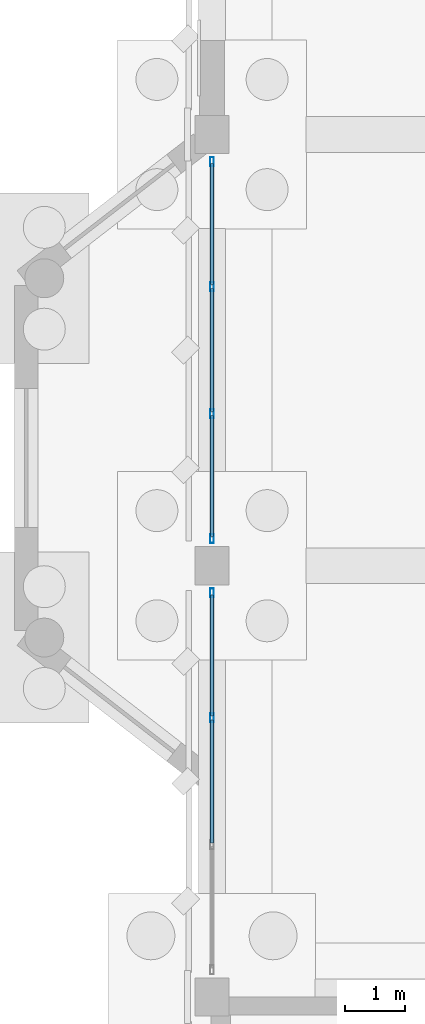
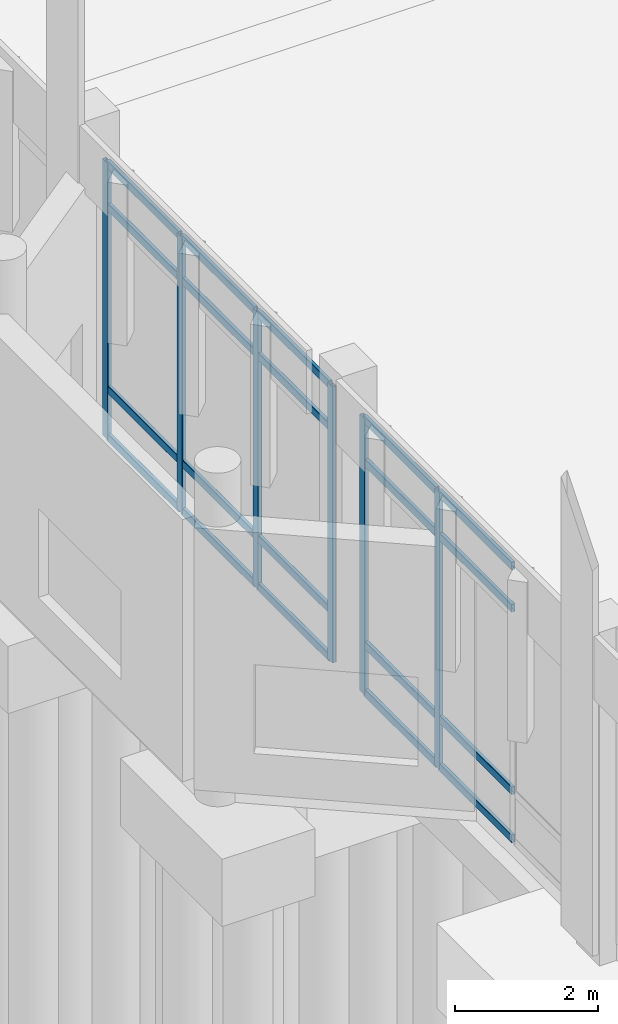
# One storey, part 38 of 109: 26 members, 2 elements without a shape of their own.
"""IFC4 building model written with IfcOpenShell, lengths in metres."""

from ifc_helpers import new_model, si_unit, direction, frame, origin, origin_2d, place, context, subcontext, project, spatial, hollow_rectangle, extrude, material, material_profile, profile_set, type_object, element, aggregate, save


model = new_model("IFC4")

# Units and contexts
model_context = context("Model", 3, precision=1e-05, world=origin(), true_north=direction((0.0, 1.0)))
body_context = subcontext(model_context, "Body", "Model", "MODEL_VIEW")
ifc_project = project(units=[si_unit("LENGTHUNIT", "METRE"), si_unit("AREAUNIT", "SQUARE_METRE"), si_unit("VOLUMEUNIT", "CUBIC_METRE"), si_unit("PLANEANGLEUNIT", "RADIAN"), si_unit("MASSUNIT", "GRAM", prefix="KILO")], contexts=[model_context])

# Site, building, storey
site_placement = place(None, origin())
site = spatial("IfcSite", under=ifc_project, at=site_placement, CompositionType="ELEMENT")
building_placement = place(site_placement, origin())
building = spatial("IfcBuilding", under=site, at=building_placement, Name="Lusvemor Sports Hall", CompositionType="ELEMENT")
storey_placement = place(building_placement, origin())
storey = spatial("IfcBuildingStorey", under=building, at=storey_placement, Name="L00", CompositionType="ELEMENT", Elevation=0.0)

# Curtain wall, members
ifc_material_1 = material(Name="Thermally broken bronze-anodized aluminium", Category="aluminium")
curtain_wall_type = type_object("IfcCurtainWallType", Name="CW_WING_B", PredefinedType="NOTDEFINED", material=ifc_material_1)
curtain_wall_1_placement = place(storey_placement, origin())
curtain_wall_1 = element("IfcCurtainWall", 1, at=curtain_wall_1_placement, inside=storey, type_object=curtain_wall_type, Name="Curtain Wall CW-L00-W-0-4", PredefinedType="NOTDEFINED")
ifc_material_2 = material(Name="Thermally broken bronze-anodized aluminium", Category="aluminium")
ifc_material_profile_1 = material_profile(ifc_material_2, hollow_rectangle(XDim=0.06494140625, YDim=0.14990234375, WallThickness=0.00390625, InnerFilletRadius=0.00390625, OuterFilletRadius=0.008056640625, at=origin_2d()), Name="CWMUL150x65x4")
ifc_profile_set_1 = profile_set([ifc_material_profile_1], Name="Thermally broken bronze-anodized aluminium")
member_type_1 = type_object("IfcMemberType", Name="CW_MUL_B", PredefinedType="MULLION", material=ifc_profile_set_1)
member_1_placement = place(storey_placement, frame((0.0, 80.260009765625, 0.0), z_axis=(0.0, 0.0, 1.0), x_axis=(-1.0, 0.0, 0.0)))
member_1 = element("IfcMember", 2, at=member_1_placement, type_object=member_type_1, Name="CW02 mullion 3", PredefinedType="MULLION", context=body_context, shape_type="SweptSolid", body=[
    extrude(hollow_rectangle(XDim=0.06494140625, YDim=0.14990234375, WallThickness=0.00390625, InnerFilletRadius=0.00390625, OuterFilletRadius=0.008056640625, at=origin_2d()), origin(), (0.0, 0.0, 1.0), 4.719970703125),
])
member_2_placement = place(storey_placement, frame((0.0, 82.347412109375, 0.0), z_axis=(0.0, 0.0, 1.0), x_axis=(-1.0, 0.0, 0.0)))
member_2 = element("IfcMember", 3, at=member_2_placement, type_object=member_type_1, Name="CW02 mullion 4", PredefinedType="MULLION", context=body_context, shape_type="SweptSolid", body=[
    extrude(hollow_rectangle(XDim=0.06494140625, YDim=0.14990234375, WallThickness=0.00390625, InnerFilletRadius=0.00390625, OuterFilletRadius=0.008056640625, at=origin_2d()), origin(), (0.0, 0.0, 1.0), 4.719970703125),
])

curtain_wall_2_placement = place(storey_placement, origin())
curtain_wall_2 = element("IfcCurtainWall", 4, at=curtain_wall_2_placement, inside=storey, type_object=curtain_wall_type, Name="Curtain Wall CW-L00-W-0-5", PredefinedType="NOTDEFINED")
member_3_placement = place(storey_placement, frame((0.0, 83.25244140625, 0.0), z_axis=(0.0, 0.0, 1.0), x_axis=(-1.0, 0.0, 0.0)))
member_3 = element("IfcMember", 5, at=member_3_placement, type_object=member_type_1, Name="CW02 mullion 1", PredefinedType="MULLION", context=body_context, shape_type="SweptSolid", body=[
    extrude(hollow_rectangle(XDim=0.06494140625, YDim=0.14990234375, WallThickness=0.00390625, InnerFilletRadius=0.00390625, OuterFilletRadius=0.008056640625, at=origin_2d()), origin(), (0.0, 0.0, 1.0), 4.719970703125),
])
member_4_placement = place(storey_placement, frame((0.0, 85.340087890625, 0.0), z_axis=(0.0, 0.0, 1.0), x_axis=(-1.0, 0.0, 0.0)))
member_4 = element("IfcMember", 6, at=member_4_placement, type_object=member_type_1, Name="CW02 mullion 2", PredefinedType="MULLION", context=body_context, shape_type="SweptSolid", body=[
    extrude(hollow_rectangle(XDim=0.06494140625, YDim=0.14990234375, WallThickness=0.00390625, InnerFilletRadius=0.00390625, OuterFilletRadius=0.008056640625, at=origin_2d()), origin(), (0.0, 0.0, 1.0), 4.719970703125),
])
member_5_placement = place(storey_placement, frame((0.0, 87.4599609375, 0.0), z_axis=(0.0, 0.0, 1.0), x_axis=(-1.0, 0.0, 0.0)))
member_5 = element("IfcMember", 7, at=member_5_placement, type_object=member_type_1, Name="CW02 mullion 3", PredefinedType="MULLION", context=body_context, shape_type="SweptSolid", body=[
    extrude(hollow_rectangle(XDim=0.06494140625, YDim=0.14990234375, WallThickness=0.00390625, InnerFilletRadius=0.00390625, OuterFilletRadius=0.008056640625, at=origin_2d()), origin(), (0.0, 0.0, 1.0), 4.719970703125),
])
member_6_placement = place(storey_placement, frame((0.0, 89.547607421875, 0.0), z_axis=(0.0, 0.0, 1.0), x_axis=(-1.0, 0.0, 0.0)))
member_6 = element("IfcMember", 8, at=member_6_placement, type_object=member_type_1, Name="CW02 mullion 4", PredefinedType="MULLION", context=body_context, shape_type="SweptSolid", body=[
    extrude(hollow_rectangle(XDim=0.06494140625, YDim=0.14990234375, WallThickness=0.00390625, InnerFilletRadius=0.00390625, OuterFilletRadius=0.008056640625, at=origin_2d()), origin(), (0.0, 0.0, 1.0), 4.719970703125),
])

# Member
ifc_material_3 = material(Name="Thermally broken bronze-anodized aluminium", Category="aluminium")
ifc_material_profile_2 = material_profile(ifc_material_3, hollow_rectangle(XDim=0.06005859375, YDim=0.135009765625, WallThickness=0.00390625, InnerFilletRadius=0.00390625, OuterFilletRadius=0.008056640625, at=origin_2d()), Name="CWTRN135x60x4")
ifc_profile_set_2 = profile_set([ifc_material_profile_2], Name="Thermally broken bronze-anodized aluminium")
member_type_2 = type_object("IfcMemberType", Name="CW_TRN_B", PredefinedType="USERDEFINED", material=ifc_profile_set_2)
member_7_placement = place(storey_placement, frame((0.0, 78.172607421875, 0.030029296875), z_axis=(0.0, 1.0, 0.0), x_axis=(-1.0, 0.0, 0.0)))
member_7 = element("IfcMember", 9, at=member_7_placement, type_object=member_type_2, Name="CW02 transom 2.1", ObjectType="TRANSOM", PredefinedType="USERDEFINED", context=body_context, shape_type="SweptSolid", body=[
    extrude(hollow_rectangle(XDim=0.06005859375, YDim=0.135009765625, WallThickness=0.00390625, InnerFilletRadius=0.00390625, OuterFilletRadius=0.008056640625, at=origin_2d()), origin(), (0.0, 0.0, 1.0), 2.054931640625),
])

member_8_placement = place(storey_placement, frame((0.0, 78.172607421875, 0.85009765625), z_axis=(0.0, 1.0, 0.0), x_axis=(-1.0, 0.0, 0.0)))
member_8 = element("IfcMember", 10, at=member_8_placement, type_object=member_type_2, Name="CW02 transom 2.2", ObjectType="TRANSOM", PredefinedType="USERDEFINED", context=body_context, shape_type="SweptSolid", body=[
    extrude(hollow_rectangle(XDim=0.06005859375, YDim=0.135009765625, WallThickness=0.00390625, InnerFilletRadius=0.00390625, OuterFilletRadius=0.008056640625, at=origin_2d()), origin(), (0.0, 0.0, 1.0), 2.054931640625),
])

member_9_placement = place(storey_placement, frame((0.0, 78.172607421875, 3.969970703125), z_axis=(0.0, 1.0, 0.0), x_axis=(-1.0, 0.0, 0.0)))
member_9 = element("IfcMember", 11, at=member_9_placement, type_object=member_type_2, Name="CW02 transom 2.3", ObjectType="TRANSOM", PredefinedType="USERDEFINED", context=body_context, shape_type="SweptSolid", body=[
    extrude(hollow_rectangle(XDim=0.06005859375, YDim=0.135009765625, WallThickness=0.00390625, InnerFilletRadius=0.00390625, OuterFilletRadius=0.008056640625, at=origin_2d()), origin(), (0.0, 0.0, 1.0), 2.054931640625),
])

member_10_placement = place(storey_placement, frame((0.0, 78.172607421875, 4.68994140625), z_axis=(0.0, 1.0, 0.0), x_axis=(-1.0, 0.0, 0.0)))
member_10 = element("IfcMember", 12, at=member_10_placement, type_object=member_type_2, Name="CW02 transom 2.4", ObjectType="TRANSOM", PredefinedType="USERDEFINED", context=body_context, shape_type="SweptSolid", body=[
    extrude(hollow_rectangle(XDim=0.06005859375, YDim=0.135009765625, WallThickness=0.00390625, InnerFilletRadius=0.00390625, OuterFilletRadius=0.008056640625, at=origin_2d()), origin(), (0.0, 0.0, 1.0), 2.054931640625),
])

member_11_placement = place(storey_placement, frame((0.0, 80.29248046875, 0.030029296875), z_axis=(0.0, 1.0, 0.0), x_axis=(-1.0, 0.0, 0.0)))
member_11 = element("IfcMember", 13, at=member_11_placement, type_object=member_type_2, Name="CW02 transom 3.1", ObjectType="TRANSOM", PredefinedType="USERDEFINED", context=body_context, shape_type="SweptSolid", body=[
    extrude(hollow_rectangle(XDim=0.06005859375, YDim=0.135009765625, WallThickness=0.00390625, InnerFilletRadius=0.00390625, OuterFilletRadius=0.008056640625, at=origin_2d()), origin(), (0.0, 0.0, 1.0), 2.0224609375),
])

member_12_placement = place(storey_placement, frame((0.0, 80.29248046875, 0.85009765625), z_axis=(0.0, 1.0, 0.0), x_axis=(-1.0, 0.0, 0.0)))
member_12 = element("IfcMember", 14, at=member_12_placement, type_object=member_type_2, Name="CW02 transom 3.2", ObjectType="TRANSOM", PredefinedType="USERDEFINED", context=body_context, shape_type="SweptSolid", body=[
    extrude(hollow_rectangle(XDim=0.06005859375, YDim=0.135009765625, WallThickness=0.00390625, InnerFilletRadius=0.00390625, OuterFilletRadius=0.008056640625, at=origin_2d()), origin(), (0.0, 0.0, 1.0), 2.0224609375),
])

member_13_placement = place(storey_placement, frame((0.0, 80.29248046875, 3.969970703125), z_axis=(0.0, 1.0, 0.0), x_axis=(-1.0, 0.0, 0.0)))
member_13 = element("IfcMember", 15, at=member_13_placement, type_object=member_type_2, Name="CW02 transom 3.3", ObjectType="TRANSOM", PredefinedType="USERDEFINED", context=body_context, shape_type="SweptSolid", body=[
    extrude(hollow_rectangle(XDim=0.06005859375, YDim=0.135009765625, WallThickness=0.00390625, InnerFilletRadius=0.00390625, OuterFilletRadius=0.008056640625, at=origin_2d()), origin(), (0.0, 0.0, 1.0), 2.0224609375),
])

member_14_placement = place(storey_placement, frame((0.0, 80.29248046875, 4.68994140625), z_axis=(0.0, 1.0, 0.0), x_axis=(-1.0, 0.0, 0.0)))
member_14 = element("IfcMember", 16, at=member_14_placement, type_object=member_type_2, Name="CW02 transom 3.4", ObjectType="TRANSOM", PredefinedType="USERDEFINED", context=body_context, shape_type="SweptSolid", body=[
    extrude(hollow_rectangle(XDim=0.06005859375, YDim=0.135009765625, WallThickness=0.00390625, InnerFilletRadius=0.00390625, OuterFilletRadius=0.008056640625, at=origin_2d()), origin(), (0.0, 0.0, 1.0), 2.0224609375),
])

aggregate(curtain_wall_1, [member_1, member_2, member_7, member_8, member_9, member_10, member_11, member_12, member_13, member_14])

member_15_placement = place(storey_placement, frame((0.0, 83.284912109375, 0.030029296875), z_axis=(0.0, 1.0, 0.0), x_axis=(-1.0, 0.0, 0.0)))
member_15 = element("IfcMember", 17, at=member_15_placement, type_object=member_type_2, Name="CW02 transom 1.1", ObjectType="TRANSOM", PredefinedType="USERDEFINED", context=body_context, shape_type="SweptSolid", body=[
    extrude(hollow_rectangle(XDim=0.06005859375, YDim=0.135009765625, WallThickness=0.00390625, InnerFilletRadius=0.00390625, OuterFilletRadius=0.008056640625, at=origin_2d()), origin(), (0.0, 0.0, 1.0), 2.022705078125),
])

member_16_placement = place(storey_placement, frame((0.0, 83.284912109375, 0.85009765625), z_axis=(0.0, 1.0, 0.0), x_axis=(-1.0, 0.0, 0.0)))
member_16 = element("IfcMember", 18, at=member_16_placement, type_object=member_type_2, Name="CW02 transom 1.2", ObjectType="TRANSOM", PredefinedType="USERDEFINED", context=body_context, shape_type="SweptSolid", body=[
    extrude(hollow_rectangle(XDim=0.06005859375, YDim=0.135009765625, WallThickness=0.00390625, InnerFilletRadius=0.00390625, OuterFilletRadius=0.008056640625, at=origin_2d()), origin(), (0.0, 0.0, 1.0), 2.022705078125),
])

member_17_placement = place(storey_placement, frame((0.0, 83.284912109375, 3.969970703125), z_axis=(0.0, 1.0, 0.0), x_axis=(-1.0, 0.0, 0.0)))
member_17 = element("IfcMember", 19, at=member_17_placement, type_object=member_type_2, Name="CW02 transom 1.3", ObjectType="TRANSOM", PredefinedType="USERDEFINED", context=body_context, shape_type="SweptSolid", body=[
    extrude(hollow_rectangle(XDim=0.06005859375, YDim=0.135009765625, WallThickness=0.00390625, InnerFilletRadius=0.00390625, OuterFilletRadius=0.008056640625, at=origin_2d()), origin(), (0.0, 0.0, 1.0), 2.022705078125),
])

member_18_placement = place(storey_placement, frame((0.0, 83.284912109375, 4.68994140625), z_axis=(0.0, 1.0, 0.0), x_axis=(-1.0, 0.0, 0.0)))
member_18 = element("IfcMember", 20, at=member_18_placement, type_object=member_type_2, Name="CW02 transom 1.4", ObjectType="TRANSOM", PredefinedType="USERDEFINED", context=body_context, shape_type="SweptSolid", body=[
    extrude(hollow_rectangle(XDim=0.06005859375, YDim=0.135009765625, WallThickness=0.00390625, InnerFilletRadius=0.00390625, OuterFilletRadius=0.008056640625, at=origin_2d()), origin(), (0.0, 0.0, 1.0), 2.022705078125),
])

member_19_placement = place(storey_placement, frame((0.0, 85.37255859375, 0.030029296875), z_axis=(0.0, 1.0, 0.0), x_axis=(-1.0, 0.0, 0.0)))
member_19 = element("IfcMember", 21, at=member_19_placement, type_object=member_type_2, Name="CW02 transom 2.1", ObjectType="TRANSOM", PredefinedType="USERDEFINED", context=body_context, shape_type="SweptSolid", body=[
    extrude(hollow_rectangle(XDim=0.06005859375, YDim=0.135009765625, WallThickness=0.00390625, InnerFilletRadius=0.00390625, OuterFilletRadius=0.008056640625, at=origin_2d()), origin(), (0.0, 0.0, 1.0), 2.054931640625),
])

member_20_placement = place(storey_placement, frame((0.0, 85.37255859375, 0.85009765625), z_axis=(0.0, 1.0, 0.0), x_axis=(-1.0, 0.0, 0.0)))
member_20 = element("IfcMember", 22, at=member_20_placement, type_object=member_type_2, Name="CW02 transom 2.2", ObjectType="TRANSOM", PredefinedType="USERDEFINED", context=body_context, shape_type="SweptSolid", body=[
    extrude(hollow_rectangle(XDim=0.06005859375, YDim=0.135009765625, WallThickness=0.00390625, InnerFilletRadius=0.00390625, OuterFilletRadius=0.008056640625, at=origin_2d()), origin(), (0.0, 0.0, 1.0), 2.054931640625),
])

member_21_placement = place(storey_placement, frame((0.0, 85.37255859375, 3.969970703125), z_axis=(0.0, 1.0, 0.0), x_axis=(-1.0, 0.0, 0.0)))
member_21 = element("IfcMember", 23, at=member_21_placement, type_object=member_type_2, Name="CW02 transom 2.3", ObjectType="TRANSOM", PredefinedType="USERDEFINED", context=body_context, shape_type="SweptSolid", body=[
    extrude(hollow_rectangle(XDim=0.06005859375, YDim=0.135009765625, WallThickness=0.00390625, InnerFilletRadius=0.00390625, OuterFilletRadius=0.008056640625, at=origin_2d()), origin(), (0.0, 0.0, 1.0), 2.054931640625),
])

member_22_placement = place(storey_placement, frame((0.0, 85.37255859375, 4.68994140625), z_axis=(0.0, 1.0, 0.0), x_axis=(-1.0, 0.0, 0.0)))
member_22 = element("IfcMember", 24, at=member_22_placement, type_object=member_type_2, Name="CW02 transom 2.4", ObjectType="TRANSOM", PredefinedType="USERDEFINED", context=body_context, shape_type="SweptSolid", body=[
    extrude(hollow_rectangle(XDim=0.06005859375, YDim=0.135009765625, WallThickness=0.00390625, InnerFilletRadius=0.00390625, OuterFilletRadius=0.008056640625, at=origin_2d()), origin(), (0.0, 0.0, 1.0), 2.054931640625),
])

member_23_placement = place(storey_placement, frame((0.0, 87.492431640625, 0.030029296875), z_axis=(0.0, 1.0, 0.0), x_axis=(-1.0, 0.0, 0.0)))
member_23 = element("IfcMember", 25, at=member_23_placement, type_object=member_type_2, Name="CW02 transom 3.1", ObjectType="TRANSOM", PredefinedType="USERDEFINED", context=body_context, shape_type="SweptSolid", body=[
    extrude(hollow_rectangle(XDim=0.06005859375, YDim=0.135009765625, WallThickness=0.00390625, InnerFilletRadius=0.00390625, OuterFilletRadius=0.008056640625, at=origin_2d()), origin(), (0.0, 0.0, 1.0), 2.0224609375),
])

member_24_placement = place(storey_placement, frame((0.0, 87.492431640625, 0.85009765625), z_axis=(0.0, 1.0, 0.0), x_axis=(-1.0, 0.0, 0.0)))
member_24 = element("IfcMember", 26, at=member_24_placement, type_object=member_type_2, Name="CW02 transom 3.2", ObjectType="TRANSOM", PredefinedType="USERDEFINED", context=body_context, shape_type="SweptSolid", body=[
    extrude(hollow_rectangle(XDim=0.06005859375, YDim=0.135009765625, WallThickness=0.00390625, InnerFilletRadius=0.00390625, OuterFilletRadius=0.008056640625, at=origin_2d()), origin(), (0.0, 0.0, 1.0), 2.0224609375),
])

member_25_placement = place(storey_placement, frame((0.0, 87.492431640625, 3.969970703125), z_axis=(0.0, 1.0, 0.0), x_axis=(-1.0, 0.0, 0.0)))
member_25 = element("IfcMember", 27, at=member_25_placement, type_object=member_type_2, Name="CW02 transom 3.3", ObjectType="TRANSOM", PredefinedType="USERDEFINED", context=body_context, shape_type="SweptSolid", body=[
    extrude(hollow_rectangle(XDim=0.06005859375, YDim=0.135009765625, WallThickness=0.00390625, InnerFilletRadius=0.00390625, OuterFilletRadius=0.008056640625, at=origin_2d()), origin(), (0.0, 0.0, 1.0), 2.0224609375),
])

member_26_placement = place(storey_placement, frame((0.0, 87.492431640625, 4.68994140625), z_axis=(0.0, 1.0, 0.0), x_axis=(-1.0, 0.0, 0.0)))
member_26 = element("IfcMember", 28, at=member_26_placement, type_object=member_type_2, Name="CW02 transom 3.4", ObjectType="TRANSOM", PredefinedType="USERDEFINED", context=body_context, shape_type="SweptSolid", body=[
    extrude(hollow_rectangle(XDim=0.06005859375, YDim=0.135009765625, WallThickness=0.00390625, InnerFilletRadius=0.00390625, OuterFilletRadius=0.008056640625, at=origin_2d()), origin(), (0.0, 0.0, 1.0), 2.0224609375),
])

aggregate(curtain_wall_2, [member_3, member_4, member_5, member_6, member_15, member_16, member_17, member_18, member_19, member_20, member_21, member_22, member_23, member_24, member_25, member_26])

save(model, "model.ifc")
